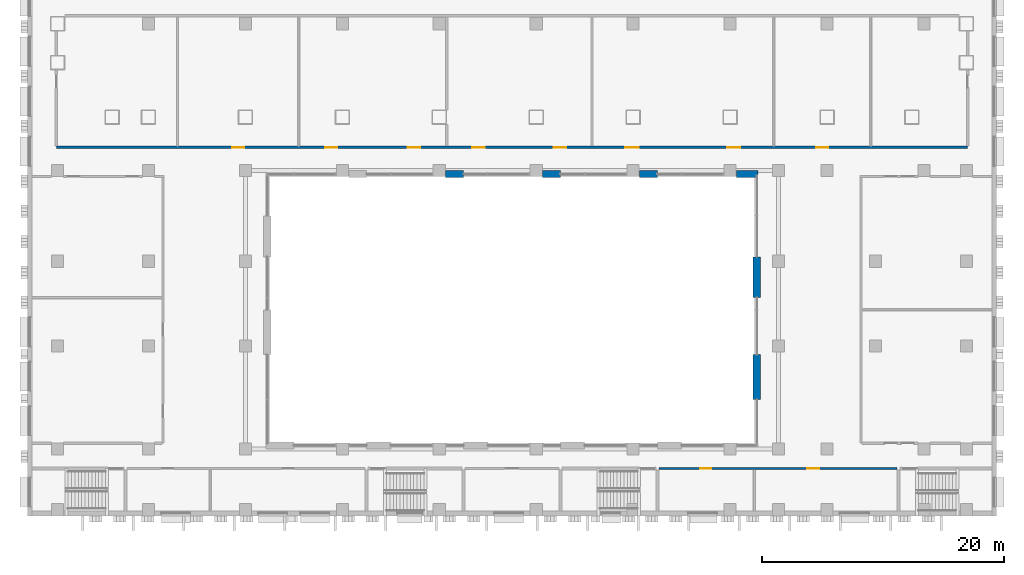
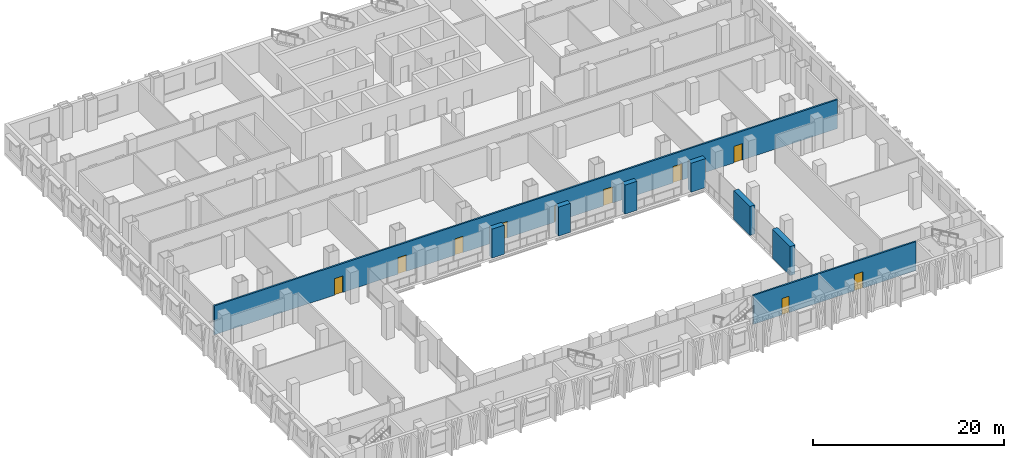
# One storey, part 10 of 26: 10 doors, 8 walls, 10 openings.
"""IFC4 building model written with IfcOpenShell, lengths in metres."""

from ifc_helpers import new_model, si_unit, direction, frame, frame_2d, origin, place, context, subcontext, project, spatial, rectangle, extrude, material, layer, layer_set, type_object, element, fill, save


model = new_model("IFC4")

# Units and contexts
model_context = context("Model", 3, precision=1e-05, world=origin(), true_north=direction((0.0, 1.0)))
body_context = subcontext(model_context, "Body", "Model", "MODEL_VIEW")
ifc_project = project(units=[si_unit("LENGTHUNIT", "METRE"), si_unit("AREAUNIT", "SQUARE_METRE"), si_unit("VOLUMEUNIT", "CUBIC_METRE"), si_unit("PLANEANGLEUNIT", "RADIAN"), si_unit("MASSUNIT", "GRAM", prefix="KILO")], contexts=[model_context])

# Site, building, storey
site_placement = place(None, origin())
site = spatial("IfcSite", under=ifc_project, at=site_placement, CompositionType="ELEMENT")
building_placement = place(site_placement, origin())
building = spatial("IfcBuilding", under=site, at=building_placement, Name="Vidyagriha Tower", CompositionType="ELEMENT")
storey_placement = place(building_placement, frame((0.0, 0.0, 6.0)))
storey = spatial("IfcBuildingStorey", under=building, at=storey_placement, Name="L01", CompositionType="ELEMENT", Elevation=6.0)

# Walls
ifc_material_1 = material(Name="Precast concrete C40/50 with brick facing", Category="concrete")
ifc_layer_1 = layer(ifc_material_1, 0.60009765625)
ifc_layer_set_1 = layer_set([ifc_layer_1], Name="Precast concrete C40/50 with brick facing")
wall_type_1 = type_object("IfcWallType", Name="Brick-faced precast wall 600", PredefinedType="STANDARD", material=ifc_layer_set_1)
for number, where, name in (
    (1, (-5.469970703125, -21.800048828125, 0.0), "Brick door bay wall L01 R09.8"),
    (2, (2.530029296875, -21.800048828125, 0.0), "Brick door bay wall L01 R09.12"),
    (3, (10.530029296875, -21.800048828125, 0.0), "Brick door bay wall L01 R09.16"),
):
    element("IfcWall", number, at=place(storey_placement, frame(where)), inside=storey, type_object=wall_type_1, Name=name, PredefinedType="STANDARD", context=body_context, shape_type="SweptSolid", body=[
        extrude(rectangle(XDim=1.469970703125, YDim=0.60009765625, at=frame_2d((0.73486328125, 0.0))), origin(), (0.0, 0.0, 1.0), 3.699951171875),
    ])
wall_1_placement = place(storey_placement, frame((18.530029296875, -21.800048828125, 0.0)))
element("IfcWall", 4, at=wall_1_placement, inside=storey, type_object=wall_type_1, Name="Brick door bay wall L01 R09.20", PredefinedType="STANDARD", context=body_context, shape_type="SweptSolid", body=[
    extrude(rectangle(XDim=1.75, YDim=0.60009765625, at=frame_2d((0.875, 0.0))), origin(), (0.0, 0.0, 1.0), 3.699951171875),
])
wall_2_placement = place(storey_placement, frame((20.199951171875, -28.626708984375, 0.0), z_axis=(0.0, 0.0, 1.0), x_axis=(0.0, -1.0, 0.0)))
element("IfcWall", 5, at=wall_2_placement, inside=storey, type_object=wall_type_1, Name="Brick door bay wall L01 R10.3", PredefinedType="STANDARD", context=body_context, shape_type="SweptSolid", body=[
    extrude(rectangle(XDim=3.373291015625, YDim=0.60009765625, at=frame_2d((1.6865234375, 0.0))), origin(), (0.0, 0.0, 1.0), 3.699951171875),
])
wall_3_placement = place(storey_placement, frame((20.199951171875, -36.706787109375, 0.0), z_axis=(0.0, 0.0, 1.0), x_axis=(0.0, -1.0, 0.0)))
element("IfcWall", 6, at=wall_3_placement, inside=storey, type_object=wall_type_1, Name="Brick door bay wall L01 R10.6", PredefinedType="STANDARD", context=body_context, shape_type="SweptSolid", body=[
    extrude(rectangle(XDim=3.70654296875, YDim=0.60009765625, at=frame_2d((1.853271484375, 0.0))), origin(), (0.0, 0.0, 1.0), 3.699951171875),
])

# Wall, openings, doors
ifc_material_2 = material(Name="Fire rated gypsum board on light gauge framing")
ifc_layer_2 = layer(ifc_material_2, 0.199951171875)
ifc_layer_set_2 = layer_set([ifc_layer_2], Name="Fire rated gypsum board on light gauge framing")
wall_type_2 = type_object("IfcWallType", Name="Fire Rated Corridor Wall 200", PredefinedType="PARTITIONING", material=ifc_layer_set_2)
wall_4_placement = place(storey_placement, frame((12.125, -46.10009765625, 0.0)))
wall_4 = element("IfcWall", 7, at=wall_4_placement, inside=storey, type_object=wall_type_2, Name="L01 Fire Rated Corridor Wall 200 002", PredefinedType="PARTITIONING", context=body_context, shape_type="SweptSolid", body=[
    extrude(rectangle(XDim=19.64990234375, YDim=0.199951171875, at=frame_2d((9.824951171875, 0.0))), origin(), (0.0, 0.0, 1.0), 3.699951171875),
])
opening_1_placement = place(wall_4_placement, frame((3.425048828125, 0.0, 0.0)))
opening_1 = element("IfcOpeningElement", 8, at=opening_1_placement, cuts=wall_4, Name="Opening D01-24", PredefinedType="OPENING", context=body_context, shape_type="SweptSolid", body=[
    extrude(rectangle(XDim=0.89990234375, YDim=2.10009765625, at=frame_2d((0.449951171875, 1.050048828125))), frame((0.0, 0.10986328125, 0.0), z_axis=(0.0, -1.0, 0.0), x_axis=(1.0, 0.0, 0.0)), (0.0, 0.0, 1.0), 0.219970703125),
])
opening_2_placement = place(wall_4_placement, frame((12.22509765625, 0.0, 0.0)))
opening_2 = element("IfcOpeningElement", 9, at=opening_2_placement, cuts=wall_4, Name="Opening D01-25", PredefinedType="OPENING", context=body_context, shape_type="SweptSolid", body=[
    extrude(rectangle(XDim=1.0, YDim=2.10009765625, at=frame_2d((0.5, 1.050048828125))), frame((0.0, 0.10986328125, 0.0), z_axis=(0.0, -1.0, 0.0), x_axis=(1.0, 0.0, 0.0)), (0.0, 0.0, 1.0), 0.219970703125),
])
ifc_material_3 = material(Name="Steel fire door set", Category="steel")
door_type_1 = type_object("IfcDoorType", Name="Podium Door 1000x2100 EI 30", OperationType="NOTDEFINED", PredefinedType="DOOR", material=ifc_material_3)
door_1_placement = place(opening_2_placement, frame((1.0, 0.0, 0.0), z_axis=(0.0, 0.0, 1.0), x_axis=(-1.0, 0.0, 0.0)))
door_1 = element("IfcDoor", 10, at=door_1_placement, inside=storey, type_object=door_type_1, Name="L01 door D01-25", OperationType="SINGLE_SWING_RIGHT", OverallHeight=2.10009765625, OverallWidth=1.0, PredefinedType="DOOR", context=body_context, shape_type="SweptSolid", body=[
    extrude(rectangle(XDim=1.0, YDim=2.10009765625, at=frame_2d((0.5, 1.050048828125))), frame((0.0, 0.02490234375, 0.0), z_axis=(0.0, -1.0, 0.0), x_axis=(1.0, 0.0, 0.0)), (0.0, 0.0, 1.0), 0.050048828125),
])
fill(opening_2, door_1)
ifc_material_4 = material(Name="Steel fire door set", Category="steel")
door_type_2 = type_object("IfcDoorType", Name="Podium Door 900x2100 EI 30", OperationType="NOTDEFINED", PredefinedType="DOOR", material=ifc_material_4)
door_2_placement = place(opening_1_placement, frame((0.89990234375, 0.0, 0.0), z_axis=(0.0, 0.0, 1.0), x_axis=(-1.0, 0.0, 0.0)))
door_2 = element("IfcDoor", 11, at=door_2_placement, inside=storey, type_object=door_type_2, Name="L01 door D01-24", OperationType="SINGLE_SWING_LEFT", OverallHeight=2.10009765625, OverallWidth=0.89990234375, PredefinedType="DOOR", context=body_context, shape_type="SweptSolid", body=[
    extrude(rectangle(XDim=0.89990234375, YDim=2.10009765625, at=frame_2d((0.449951171875, 1.050048828125))), frame((0.0, 0.02490234375, 0.0), z_axis=(0.0, -1.0, 0.0), x_axis=(1.0, 0.0, 0.0)), (0.0, 0.0, 1.0), 0.050048828125),
])
fill(opening_1, door_2)

wall_5_placement = place(storey_placement, frame((-37.599853515625, -19.60009765625, 0.0)))
wall_5 = element("IfcWall", 12, at=wall_5_placement, inside=storey, type_object=wall_type_2, Name="L01 Fire Rated Corridor Wall 200 021", PredefinedType="PARTITIONING", context=body_context, shape_type="SweptSolid", body=[
    extrude(rectangle(XDim=75.19970703125, YDim=0.199951171875, at=frame_2d((37.599853515625, 0.0))), origin(), (0.0, 0.0, 1.0), 3.699951171875),
])
opening_3_placement = place(wall_5_placement, frame((14.5, 0.0, 0.0)))
opening_3 = element("IfcOpeningElement", 13, at=opening_3_placement, cuts=wall_5, Name="Opening D01-27", PredefinedType="OPENING", context=body_context, shape_type="SweptSolid", body=[
    extrude(rectangle(XDim=1.0, YDim=2.10009765625, at=frame_2d((0.5, 1.050048828125))), frame((0.0, 0.10986328125, 0.0), z_axis=(0.0, -1.0, 0.0), x_axis=(1.0, 0.0, 0.0)), (0.0, 0.0, 1.0), 0.219970703125),
])
opening_4_placement = place(wall_5_placement, frame((22.183837890625, 0.0, 0.0)))
opening_4 = element("IfcOpeningElement", 14, at=opening_4_placement, cuts=wall_5, Name="Opening D01-28", PredefinedType="OPENING", context=body_context, shape_type="SweptSolid", body=[
    extrude(rectangle(XDim=1.0, YDim=2.10009765625, at=frame_2d((0.5, 1.050048828125))), frame((0.0, 0.10986328125, 0.0), z_axis=(0.0, -1.0, 0.0), x_axis=(1.0, 0.0, 0.0)), (0.0, 0.0, 1.0), 0.219970703125),
])
opening_5_placement = place(wall_5_placement, frame((29.015869140625, 0.0, 0.0)))
opening_5 = element("IfcOpeningElement", 15, at=opening_5_placement, cuts=wall_5, Name="Opening D01-29", PredefinedType="OPENING", context=body_context, shape_type="SweptSolid", body=[
    extrude(rectangle(XDim=1.0, YDim=2.10009765625, at=frame_2d((0.5, 1.050048828125))), frame((0.0, 0.10986328125, 0.0), z_axis=(0.0, -1.0, 0.0), x_axis=(1.0, 0.0, 0.0)), (0.0, 0.0, 1.0), 0.219970703125),
])
opening_6_placement = place(wall_5_placement, frame((34.33984375, 0.0, 0.0)))
opening_6 = element("IfcOpeningElement", 16, at=opening_6_placement, cuts=wall_5, Name="Opening D01-30", PredefinedType="OPENING", context=body_context, shape_type="SweptSolid", body=[
    extrude(rectangle(XDim=1.0, YDim=2.10009765625, at=frame_2d((0.5, 1.050048828125))), frame((0.0, 0.10986328125, 0.0), z_axis=(0.0, -1.0, 0.0), x_axis=(1.0, 0.0, 0.0)), (0.0, 0.0, 1.0), 0.219970703125),
])
opening_7_placement = place(wall_5_placement, frame((41.059814453125, 0.0, 0.0)))
opening_7 = element("IfcOpeningElement", 17, at=opening_7_placement, cuts=wall_5, Name="Opening D01-31", PredefinedType="OPENING", context=body_context, shape_type="SweptSolid", body=[
    extrude(rectangle(XDim=1.0, YDim=2.10009765625, at=frame_2d((0.5, 1.050048828125))), frame((0.0, 0.10986328125, 0.0), z_axis=(0.0, -1.0, 0.0), x_axis=(1.0, 0.0, 0.0)), (0.0, 0.0, 1.0), 0.219970703125),
])
opening_8_placement = place(wall_5_placement, frame((46.949951171875, 0.0, 0.0)))
opening_8 = element("IfcOpeningElement", 18, at=opening_8_placement, cuts=wall_5, Name="Opening D01-32", PredefinedType="OPENING", context=body_context, shape_type="SweptSolid", body=[
    extrude(rectangle(XDim=1.10009765625, YDim=2.10009765625, at=frame_2d((0.550048828125, 1.050048828125))), frame((0.0, 0.10986328125, 0.0), z_axis=(0.0, -1.0, 0.0), x_axis=(1.0, 0.0, 0.0)), (0.0, 0.0, 1.0), 0.219970703125),
])
opening_9_placement = place(wall_5_placement, frame((55.349853515625, 0.0, 0.0)))
opening_9 = element("IfcOpeningElement", 19, at=opening_9_placement, cuts=wall_5, Name="Opening D01-33", PredefinedType="OPENING", context=body_context, shape_type="SweptSolid", body=[
    extrude(rectangle(XDim=1.10009765625, YDim=2.10009765625, at=frame_2d((0.550048828125, 1.050048828125))), frame((0.0, 0.10986328125, 0.0), z_axis=(0.0, -1.0, 0.0), x_axis=(1.0, 0.0, 0.0)), (0.0, 0.0, 1.0), 0.219970703125),
])
opening_10_placement = place(wall_5_placement, frame((62.699951171875, 0.0, 0.0)))
opening_10 = element("IfcOpeningElement", 20, at=opening_10_placement, cuts=wall_5, Name="Opening D01-34", PredefinedType="OPENING", context=body_context, shape_type="SweptSolid", body=[
    extrude(rectangle(XDim=1.0, YDim=2.10009765625, at=frame_2d((0.5, 1.050048828125))), frame((0.0, 0.10986328125, 0.0), z_axis=(0.0, -1.0, 0.0), x_axis=(1.0, 0.0, 0.0)), (0.0, 0.0, 1.0), 0.219970703125),
])
door_3_placement = place(opening_3_placement, origin())
door_3 = element("IfcDoor", 21, at=door_3_placement, inside=storey, type_object=door_type_1, Name="L01 door D01-27", OperationType="SINGLE_SWING_LEFT", OverallHeight=2.10009765625, OverallWidth=1.0, PredefinedType="DOOR", context=body_context, shape_type="SweptSolid", body=[
    extrude(rectangle(XDim=1.0, YDim=2.10009765625, at=frame_2d((0.5, 1.050048828125))), frame((0.0, 0.02490234375, 0.0), z_axis=(0.0, -1.0, 0.0), x_axis=(1.0, 0.0, 0.0)), (0.0, 0.0, 1.0), 0.050048828125),
])
fill(opening_3, door_3)
door_4_placement = place(opening_4_placement, origin())
door_4 = element("IfcDoor", 22, at=door_4_placement, inside=storey, type_object=door_type_1, Name="L01 door D01-28", OperationType="SINGLE_SWING_LEFT", OverallHeight=2.10009765625, OverallWidth=1.0, PredefinedType="DOOR", context=body_context, shape_type="SweptSolid", body=[
    extrude(rectangle(XDim=1.0, YDim=2.10009765625, at=frame_2d((0.5, 1.050048828125))), frame((0.0, 0.02490234375, 0.0), z_axis=(0.0, -1.0, 0.0), x_axis=(1.0, 0.0, 0.0)), (0.0, 0.0, 1.0), 0.050048828125),
])
fill(opening_4, door_4)
door_5_placement = place(opening_5_placement, origin())
door_5 = element("IfcDoor", 23, at=door_5_placement, inside=storey, type_object=door_type_1, Name="L01 door D01-29", OperationType="SINGLE_SWING_LEFT", OverallHeight=2.10009765625, OverallWidth=1.0, PredefinedType="DOOR", context=body_context, shape_type="SweptSolid", body=[
    extrude(rectangle(XDim=1.0, YDim=2.10009765625, at=frame_2d((0.5, 1.050048828125))), frame((0.0, 0.02490234375, 0.0), z_axis=(0.0, -1.0, 0.0), x_axis=(1.0, 0.0, 0.0)), (0.0, 0.0, 1.0), 0.050048828125),
])
fill(opening_5, door_5)
door_6_placement = place(opening_10_placement, origin())
door_6 = element("IfcDoor", 24, at=door_6_placement, inside=storey, type_object=door_type_1, Name="L01 door D01-34", OperationType="SINGLE_SWING_RIGHT", OverallHeight=2.10009765625, OverallWidth=1.0, PredefinedType="DOOR", context=body_context, shape_type="SweptSolid", body=[
    extrude(rectangle(XDim=1.0, YDim=2.10009765625, at=frame_2d((0.5, 1.050048828125))), frame((0.0, 0.02490234375, 0.0), z_axis=(0.0, -1.0, 0.0), x_axis=(1.0, 0.0, 0.0)), (0.0, 0.0, 1.0), 0.050048828125),
])
fill(opening_10, door_6)
ifc_material_5 = material(Name="Steel fire door set", Category="steel")
door_type_3 = type_object("IfcDoorType", Name="Podium Door 1000x2100 EI 60", OperationType="NOTDEFINED", PredefinedType="DOOR", material=ifc_material_5)
door_7_placement = place(opening_6_placement, origin())
door_7 = element("IfcDoor", 25, at=door_7_placement, inside=storey, type_object=door_type_3, Name="L01 door D01-30", OperationType="SINGLE_SWING_LEFT", OverallHeight=2.10009765625, OverallWidth=1.0, PredefinedType="DOOR", context=body_context, shape_type="SweptSolid", body=[
    extrude(rectangle(XDim=1.0, YDim=2.10009765625, at=frame_2d((0.5, 1.050048828125))), frame((0.0, 0.02490234375, 0.0), z_axis=(0.0, -1.0, 0.0), x_axis=(1.0, 0.0, 0.0)), (0.0, 0.0, 1.0), 0.050048828125),
])
fill(opening_6, door_7)
door_8_placement = place(opening_7_placement, origin())
door_8 = element("IfcDoor", 26, at=door_8_placement, inside=storey, type_object=door_type_3, Name="L01 door D01-31", OperationType="SINGLE_SWING_RIGHT", OverallHeight=2.10009765625, OverallWidth=1.0, PredefinedType="DOOR", context=body_context, shape_type="SweptSolid", body=[
    extrude(rectangle(XDim=1.0, YDim=2.10009765625, at=frame_2d((0.5, 1.050048828125))), frame((0.0, 0.02490234375, 0.0), z_axis=(0.0, -1.0, 0.0), x_axis=(1.0, 0.0, 0.0)), (0.0, 0.0, 1.0), 0.050048828125),
])
fill(opening_7, door_8)
ifc_material_6 = material(Name="Steel fire door set", Category="steel")
door_type_4 = type_object("IfcDoorType", Name="Podium Door 1100x2100 EI 30", OperationType="NOTDEFINED", PredefinedType="DOOR", material=ifc_material_6)
door_9_placement = place(opening_8_placement, frame((1.10009765625, 0.0, 0.0), z_axis=(0.0, 0.0, 1.0), x_axis=(-1.0, 0.0, 0.0)))
door_9 = element("IfcDoor", 27, at=door_9_placement, inside=storey, type_object=door_type_4, Name="L01 door D01-32", OperationType="SINGLE_SWING_RIGHT", OverallHeight=2.10009765625, OverallWidth=1.10009765625, PredefinedType="DOOR", context=body_context, shape_type="SweptSolid", body=[
    extrude(rectangle(XDim=1.10009765625, YDim=2.10009765625, at=frame_2d((0.550048828125, 1.050048828125))), frame((0.0, 0.02490234375, 0.0), z_axis=(0.0, -1.0, 0.0), x_axis=(1.0, 0.0, 0.0)), (0.0, 0.0, 1.0), 0.050048828125),
])
fill(opening_8, door_9)
door_10_placement = place(opening_9_placement, frame((1.10009765625, 0.0, 0.0), z_axis=(0.0, 0.0, 1.0), x_axis=(-1.0, 0.0, 0.0)))
door_10 = element("IfcDoor", 28, at=door_10_placement, inside=storey, type_object=door_type_4, Name="L01 door D01-33", OperationType="SINGLE_SWING_RIGHT", OverallHeight=2.10009765625, OverallWidth=1.10009765625, PredefinedType="DOOR", context=body_context, shape_type="SweptSolid", body=[
    extrude(rectangle(XDim=1.10009765625, YDim=2.10009765625, at=frame_2d((0.550048828125, 1.050048828125))), frame((0.0, 0.02490234375, 0.0), z_axis=(0.0, -1.0, 0.0), x_axis=(1.0, 0.0, 0.0)), (0.0, 0.0, 1.0), 0.050048828125),
])
fill(opening_9, door_10)

save(model, "model.ifc")
